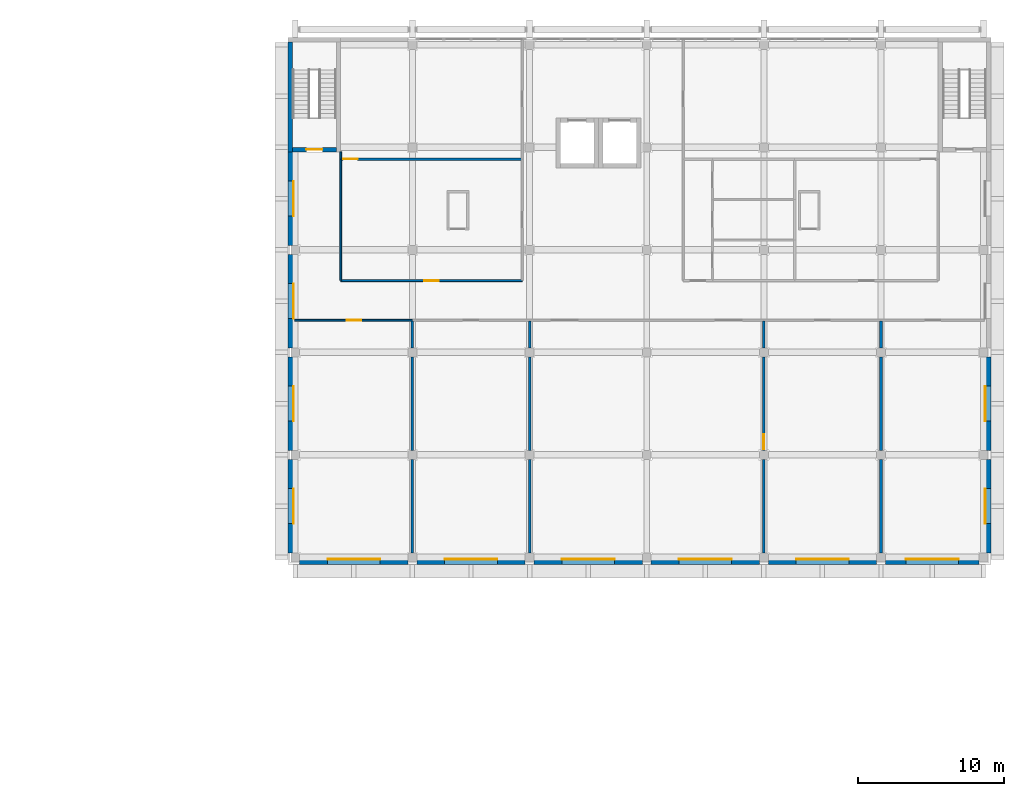
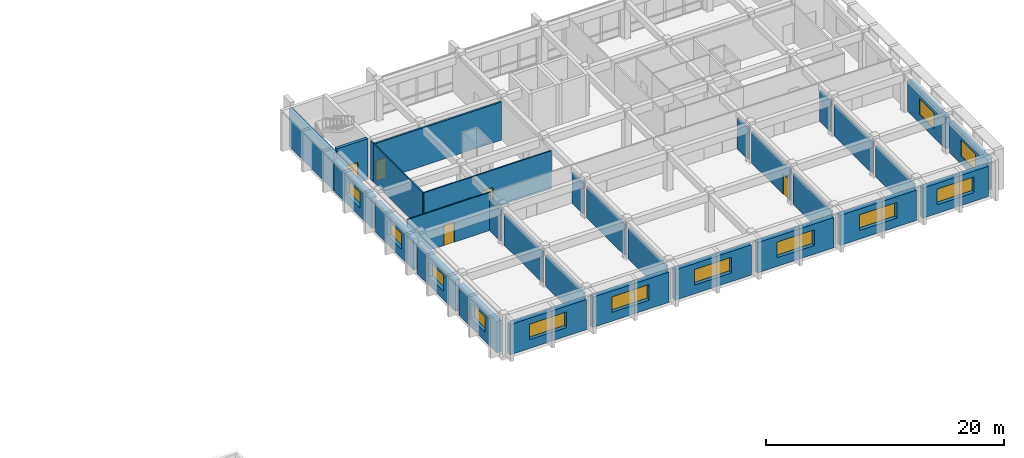
# One storey, part 34 of 43: 31 walls, 12 windows, 5 doors, 17 openings.
"""IFC4 building model written with IfcOpenShell, lengths in metres."""

from ifc_helpers import new_model, si_unit, direction, frame, frame_2d, origin, place, context, subcontext, project, spatial, rectangle, extrude, material, layer, layer_set, type_object, element, fill, save


model = new_model("IFC4")

# Units and contexts
model_context = context("Model", 3, precision=1e-05, world=origin(), true_north=direction((0.0, 1.0)))
body_context = subcontext(model_context, "Body", "Model", "MODEL_VIEW")
ifc_project = project(units=[si_unit("LENGTHUNIT", "METRE"), si_unit("AREAUNIT", "SQUARE_METRE"), si_unit("VOLUMEUNIT", "CUBIC_METRE"), si_unit("PLANEANGLEUNIT", "RADIAN"), si_unit("MASSUNIT", "GRAM", prefix="KILO")], contexts=[model_context])

# Site, building, storey
site_placement = place(None, origin())
site = spatial("IfcSite", under=ifc_project, at=site_placement, CompositionType="ELEMENT")
building_placement = place(site_placement, origin())
building = spatial("IfcBuilding", under=site, at=building_placement, Name="Elmora Arch Market Hall", CompositionType="ELEMENT")
storey_placement = place(building_placement, frame((0.0, 0.0, 10.199951171875)))
storey = spatial("IfcBuildingStorey", under=building, at=storey_placement, Name="L02", CompositionType="ELEMENT", Elevation=10.199951171875)

# Wall
ifc_material_1 = material(Name="Concrete C40/50", Category="concrete")
ifc_layer_1 = layer(ifc_material_1, 0.300048828125)
ifc_layer_set_1 = layer_set([ifc_layer_1], Name="Concrete C40/50")
wall_type_1 = type_object("IfcWallType", Name="Board-marked concrete wall 300", PredefinedType="SOLIDWALL", material=ifc_layer_set_1)
wall_1_placement = place(storey_placement, frame((86.14990234375, 158.199951171875, 0.0), z_axis=(0.0, 0.0, 1.0), x_axis=(0.0, 1.0, 0.0)))
element("IfcWall", 1, at=wall_1_placement, inside=storey, type_object=wall_type_1, Name="School stair wall W L02 1", PredefinedType="SOLIDWALL", context=body_context, shape_type="SweptSolid", body=[
    extrude(rectangle(XDim=7.5, YDim=0.300048828125, at=frame_2d((3.75, 0.0))), origin(), (0.0, 0.0, 1.0), 3.900146484375),
])

# Wall, opening, window
ifc_material_2 = material(Name="Concrete C40/50", Category="concrete")
ifc_layer_2 = layer(ifc_material_2, 0.449951171875)
ifc_layer_set_2 = layer_set([ifc_layer_2], Name="Concrete C40/50")
wall_type_2 = type_object("IfcWallType", Name="Board-marked concrete wall 450", PredefinedType="SOLIDWALL", material=ifc_layer_set_2)
wall_2_placement = place(storey_placement, frame((94.199951171875, 130.22509765625, 0.0), z_axis=(0.0, 0.0, 1.0), x_axis=(-1.0, 0.0, 0.0)))
wall_2 = element("IfcWall", 2, at=wall_2_placement, inside=storey, type_object=wall_type_2, Name="School facade wall S L02 1", PredefinedType="SOLIDWALL", context=body_context, shape_type="SweptSolid", body=[
    extrude(rectangle(XDim=7.39990234375, YDim=0.449951171875, at=frame_2d((3.699951171875, 0.0))), origin(), (0.0, 0.0, 1.0), 3.10009765625),
])
opening_1_placement = place(wall_2_placement, frame((1.89990234375, 0.0, 0.89990234375)))
opening_1 = element("IfcOpeningElement", 3, at=opening_1_placement, cuts=wall_2, Name="Opening WB1", PredefinedType="OPENING", context=body_context, shape_type="SweptSolid", body=[
    extrude(rectangle(XDim=3.60009765625, YDim=1.60009765625, at=frame_2d((1.800048828125, 0.800048828125))), frame((0.0, 0.23486328125, 0.0), z_axis=(0.0, -1.0, 0.0), x_axis=(1.0, 0.0, 0.0)), (0.0, 0.0, 1.0), 0.469970703125),
])
ifc_material_3 = material(Name="Aluminium", Category="aluminium")
window_type_1 = type_object("IfcWindowType", Name="School band window 3600x1600", PartitioningType="SINGLE_PANEL", PredefinedType="WINDOW", material=ifc_material_3)
window_1_placement = place(opening_1_placement, origin())
window_1 = element("IfcWindow", 4, at=window_1_placement, inside=storey, type_object=window_type_1, Name="Window WB1 L02 S101", OverallHeight=1.60009765625, OverallWidth=3.60009765625, PartitioningType="SINGLE_PANEL", PredefinedType="WINDOW", context=body_context, shape_type="SweptSolid", body=[
    extrude(rectangle(XDim=3.60009765625, YDim=1.60009765625, at=frame_2d((1.800048828125, 0.800048828125))), frame((0.0, -0.125, 0.0), z_axis=(0.0, -1.0, 0.0), x_axis=(1.0, 0.0, 0.0)), (0.0, 0.0, 1.0), 0.06005859375),
])
fill(opening_1, window_1)

wall_3_placement = place(storey_placement, frame((102.199951171875, 130.22509765625, 0.0), z_axis=(0.0, 0.0, 1.0), x_axis=(-1.0, 0.0, 0.0)))
wall_3 = element("IfcWall", 5, at=wall_3_placement, inside=storey, type_object=wall_type_2, Name="School facade wall S L02 2", PredefinedType="SOLIDWALL", context=body_context, shape_type="SweptSolid", body=[
    extrude(rectangle(XDim=7.39990234375, YDim=0.449951171875, at=frame_2d((3.699951171875, 0.0))), origin(), (0.0, 0.0, 1.0), 3.10009765625),
])
opening_2_placement = place(wall_3_placement, frame((1.89990234375, 0.0, 0.89990234375)))
opening_2 = element("IfcOpeningElement", 6, at=opening_2_placement, cuts=wall_3, Name="Opening WB1", PredefinedType="OPENING", context=body_context, shape_type="SweptSolid", body=[
    extrude(rectangle(XDim=3.60009765625, YDim=1.60009765625, at=frame_2d((1.800048828125, 0.800048828125))), frame((0.0, 0.23486328125, 0.0), z_axis=(0.0, -1.0, 0.0), x_axis=(1.0, 0.0, 0.0)), (0.0, 0.0, 1.0), 0.469970703125),
])
window_2_placement = place(opening_2_placement, origin())
window_2 = element("IfcWindow", 7, at=window_2_placement, inside=storey, type_object=window_type_1, Name="Window WB1 L02 S102", OverallHeight=1.60009765625, OverallWidth=3.60009765625, PartitioningType="SINGLE_PANEL", PredefinedType="WINDOW", context=body_context, shape_type="SweptSolid", body=[
    extrude(rectangle(XDim=3.60009765625, YDim=1.60009765625, at=frame_2d((1.800048828125, 0.800048828125))), frame((0.0, -0.125, 0.0), z_axis=(0.0, -1.0, 0.0), x_axis=(1.0, 0.0, 0.0)), (0.0, 0.0, 1.0), 0.06005859375),
])
fill(opening_2, window_2)

wall_4_placement = place(storey_placement, frame((110.199951171875, 130.22509765625, 0.0), z_axis=(0.0, 0.0, 1.0), x_axis=(-1.0, 0.0, 0.0)))
wall_4 = element("IfcWall", 8, at=wall_4_placement, inside=storey, type_object=wall_type_2, Name="School facade wall S L02 3", PredefinedType="SOLIDWALL", context=body_context, shape_type="SweptSolid", body=[
    extrude(rectangle(XDim=7.39990234375, YDim=0.449951171875, at=frame_2d((3.699951171875, 0.0))), origin(), (0.0, 0.0, 1.0), 3.10009765625),
])
opening_3_placement = place(wall_4_placement, frame((1.89990234375, 0.0, 0.89990234375)))
opening_3 = element("IfcOpeningElement", 9, at=opening_3_placement, cuts=wall_4, Name="Opening WB1", PredefinedType="OPENING", context=body_context, shape_type="SweptSolid", body=[
    extrude(rectangle(XDim=3.60009765625, YDim=1.60009765625, at=frame_2d((1.800048828125, 0.800048828125))), frame((0.0, 0.23486328125, 0.0), z_axis=(0.0, -1.0, 0.0), x_axis=(1.0, 0.0, 0.0)), (0.0, 0.0, 1.0), 0.469970703125),
])
window_3_placement = place(opening_3_placement, origin())
window_3 = element("IfcWindow", 10, at=window_3_placement, inside=storey, type_object=window_type_1, Name="Window WB1 L02 S103", OverallHeight=1.60009765625, OverallWidth=3.60009765625, PartitioningType="SINGLE_PANEL", PredefinedType="WINDOW", context=body_context, shape_type="SweptSolid", body=[
    extrude(rectangle(XDim=3.60009765625, YDim=1.60009765625, at=frame_2d((1.800048828125, 0.800048828125))), frame((0.0, -0.125, 0.0), z_axis=(0.0, -1.0, 0.0), x_axis=(1.0, 0.0, 0.0)), (0.0, 0.0, 1.0), 0.06005859375),
])
fill(opening_3, window_3)

wall_5_placement = place(storey_placement, frame((118.199951171875, 130.22509765625, 0.0), z_axis=(0.0, 0.0, 1.0), x_axis=(-1.0, 0.0, 0.0)))
wall_5 = element("IfcWall", 11, at=wall_5_placement, inside=storey, type_object=wall_type_2, Name="School facade wall S L02 4", PredefinedType="SOLIDWALL", context=body_context, shape_type="SweptSolid", body=[
    extrude(rectangle(XDim=7.39990234375, YDim=0.449951171875, at=frame_2d((3.699951171875, 0.0))), origin(), (0.0, 0.0, 1.0), 3.10009765625),
])
opening_4_placement = place(wall_5_placement, frame((1.89990234375, 0.0, 0.89990234375)))
opening_4 = element("IfcOpeningElement", 12, at=opening_4_placement, cuts=wall_5, Name="Opening WB1", PredefinedType="OPENING", context=body_context, shape_type="SweptSolid", body=[
    extrude(rectangle(XDim=3.60009765625, YDim=1.60009765625, at=frame_2d((1.800048828125, 0.800048828125))), frame((0.0, 0.23486328125, 0.0), z_axis=(0.0, -1.0, 0.0), x_axis=(1.0, 0.0, 0.0)), (0.0, 0.0, 1.0), 0.469970703125),
])
window_4_placement = place(opening_4_placement, origin())
window_4 = element("IfcWindow", 13, at=window_4_placement, inside=storey, type_object=window_type_1, Name="Window WB1 L02 S104", OverallHeight=1.60009765625, OverallWidth=3.60009765625, PartitioningType="SINGLE_PANEL", PredefinedType="WINDOW", context=body_context, shape_type="SweptSolid", body=[
    extrude(rectangle(XDim=3.60009765625, YDim=1.60009765625, at=frame_2d((1.800048828125, 0.800048828125))), frame((0.0, -0.125, 0.0), z_axis=(0.0, -1.0, 0.0), x_axis=(1.0, 0.0, 0.0)), (0.0, 0.0, 1.0), 0.06005859375),
])
fill(opening_4, window_4)

wall_6_placement = place(storey_placement, frame((126.199951171875, 130.22509765625, 0.0), z_axis=(0.0, 0.0, 1.0), x_axis=(-1.0, 0.0, 0.0)))
wall_6 = element("IfcWall", 14, at=wall_6_placement, inside=storey, type_object=wall_type_2, Name="School facade wall S L02 5", PredefinedType="SOLIDWALL", context=body_context, shape_type="SweptSolid", body=[
    extrude(rectangle(XDim=7.39990234375, YDim=0.449951171875, at=frame_2d((3.699951171875, 0.0))), origin(), (0.0, 0.0, 1.0), 3.10009765625),
])
opening_5_placement = place(wall_6_placement, frame((1.89990234375, 0.0, 0.89990234375)))
opening_5 = element("IfcOpeningElement", 15, at=opening_5_placement, cuts=wall_6, Name="Opening WB1", PredefinedType="OPENING", context=body_context, shape_type="SweptSolid", body=[
    extrude(rectangle(XDim=3.60009765625, YDim=1.60009765625, at=frame_2d((1.800048828125, 0.800048828125))), frame((0.0, 0.23486328125, 0.0), z_axis=(0.0, -1.0, 0.0), x_axis=(1.0, 0.0, 0.0)), (0.0, 0.0, 1.0), 0.469970703125),
])
window_5_placement = place(opening_5_placement, origin())
window_5 = element("IfcWindow", 16, at=window_5_placement, inside=storey, type_object=window_type_1, Name="Window WB1 L02 S105", OverallHeight=1.60009765625, OverallWidth=3.60009765625, PartitioningType="SINGLE_PANEL", PredefinedType="WINDOW", context=body_context, shape_type="SweptSolid", body=[
    extrude(rectangle(XDim=3.60009765625, YDim=1.60009765625, at=frame_2d((1.800048828125, 0.800048828125))), frame((0.0, -0.125, 0.0), z_axis=(0.0, -1.0, 0.0), x_axis=(1.0, 0.0, 0.0)), (0.0, 0.0, 1.0), 0.06005859375),
])
fill(opening_5, window_5)

wall_7_placement = place(storey_placement, frame((133.199951171875, 130.22509765625, 0.0), z_axis=(0.0, 0.0, 1.0), x_axis=(-1.0, 0.0, 0.0)))
wall_7 = element("IfcWall", 17, at=wall_7_placement, inside=storey, type_object=wall_type_2, Name="School facade wall S L02 6", PredefinedType="SOLIDWALL", context=body_context, shape_type="SweptSolid", body=[
    extrude(rectangle(XDim=6.39990234375, YDim=0.449951171875, at=frame_2d((3.199951171875, 0.0))), origin(), (0.0, 0.0, 1.0), 3.10009765625),
])
opening_6_placement = place(wall_7_placement, frame((1.39990234375, 0.0, 0.89990234375)))
opening_6 = element("IfcOpeningElement", 18, at=opening_6_placement, cuts=wall_7, Name="Opening WB1", PredefinedType="OPENING", context=body_context, shape_type="SweptSolid", body=[
    extrude(rectangle(XDim=3.60009765625, YDim=1.60009765625, at=frame_2d((1.800048828125, 0.800048828125))), frame((0.0, 0.23486328125, 0.0), z_axis=(0.0, -1.0, 0.0), x_axis=(1.0, 0.0, 0.0)), (0.0, 0.0, 1.0), 0.469970703125),
])
window_6_placement = place(opening_6_placement, origin())
window_6 = element("IfcWindow", 19, at=window_6_placement, inside=storey, type_object=window_type_1, Name="Window WB1 L02 S106", OverallHeight=1.60009765625, OverallWidth=3.60009765625, PartitioningType="SINGLE_PANEL", PredefinedType="WINDOW", context=body_context, shape_type="SweptSolid", body=[
    extrude(rectangle(XDim=3.60009765625, YDim=1.60009765625, at=frame_2d((1.800048828125, 0.800048828125))), frame((0.0, -0.125, 0.0), z_axis=(0.0, -1.0, 0.0), x_axis=(1.0, 0.0, 0.0)), (0.0, 0.0, 1.0), 0.06005859375),
])
fill(opening_6, window_6)

wall_8_placement = place(storey_placement, frame((86.22509765625, 130.800048828125, 0.0), z_axis=(0.0, 0.0, 1.0), x_axis=(0.0, 1.0, 0.0)))
wall_8 = element("IfcWall", 20, at=wall_8_placement, inside=storey, type_object=wall_type_2, Name="School facade wall W L02 2", PredefinedType="SOLIDWALL", context=body_context, shape_type="SweptSolid", body=[
    extrude(rectangle(XDim=6.39990234375, YDim=0.449951171875, at=frame_2d((3.199951171875, 0.0))), origin(), (0.0, 0.0, 1.0), 3.199951171875),
])
opening_7_placement = place(wall_8_placement, frame((2.0, 0.0, 0.89990234375)))
opening_7 = element("IfcOpeningElement", 21, at=opening_7_placement, cuts=wall_8, Name="Opening WB2", PredefinedType="OPENING", context=body_context, shape_type="SweptSolid", body=[
    extrude(rectangle(XDim=2.39990234375, YDim=1.60009765625, at=frame_2d((1.199951171875, 0.800048828125))), frame((0.0, 0.23486328125, 0.0), z_axis=(0.0, -1.0, 0.0), x_axis=(1.0, 0.0, 0.0)), (0.0, 0.0, 1.0), 0.469970703125),
])
ifc_material_4 = material(Name="Aluminium", Category="aluminium")
window_type_2 = type_object("IfcWindowType", Name="School end band window 2400x1600", PartitioningType="SINGLE_PANEL", PredefinedType="WINDOW", material=ifc_material_4)
window_7_placement = place(opening_7_placement, origin())
window_7 = element("IfcWindow", 22, at=window_7_placement, inside=storey, type_object=window_type_2, Name="Window WB2 L02 W107", OverallHeight=1.60009765625, OverallWidth=2.39990234375, PartitioningType="SINGLE_PANEL", PredefinedType="WINDOW", context=body_context, shape_type="SweptSolid", body=[
    extrude(rectangle(XDim=2.39990234375, YDim=1.60009765625, at=frame_2d((1.199951171875, 0.800048828125))), frame((0.0, -0.125, 0.0), z_axis=(0.0, -1.0, 0.0), x_axis=(1.0, 0.0, 0.0)), (0.0, 0.0, 1.0), 0.06005859375),
])
fill(opening_7, window_7)

wall_9_placement = place(storey_placement, frame((86.22509765625, 137.800048828125, 0.0), z_axis=(0.0, 0.0, 1.0), x_axis=(0.0, 1.0, 0.0)))
wall_9 = element("IfcWall", 23, at=wall_9_placement, inside=storey, type_object=wall_type_2, Name="School facade wall W L02 3", PredefinedType="SOLIDWALL", context=body_context, shape_type="SweptSolid", body=[
    extrude(rectangle(XDim=6.39990234375, YDim=0.449951171875, at=frame_2d((3.199951171875, 0.0))), origin(), (0.0, 0.0, 1.0), 3.199951171875),
])
opening_8_placement = place(wall_9_placement, frame((2.0, 0.0, 0.89990234375)))
opening_8 = element("IfcOpeningElement", 24, at=opening_8_placement, cuts=wall_9, Name="Opening WB2", PredefinedType="OPENING", context=body_context, shape_type="SweptSolid", body=[
    extrude(rectangle(XDim=2.39990234375, YDim=1.60009765625, at=frame_2d((1.199951171875, 0.800048828125))), frame((0.0, 0.23486328125, 0.0), z_axis=(0.0, -1.0, 0.0), x_axis=(1.0, 0.0, 0.0)), (0.0, 0.0, 1.0), 0.469970703125),
])
window_8_placement = place(opening_8_placement, origin())
window_8 = element("IfcWindow", 25, at=window_8_placement, inside=storey, type_object=window_type_2, Name="Window WB2 L02 W108", OverallHeight=1.60009765625, OverallWidth=2.39990234375, PartitioningType="SINGLE_PANEL", PredefinedType="WINDOW", context=body_context, shape_type="SweptSolid", body=[
    extrude(rectangle(XDim=2.39990234375, YDim=1.60009765625, at=frame_2d((1.199951171875, 0.800048828125))), frame((0.0, -0.125, 0.0), z_axis=(0.0, -1.0, 0.0), x_axis=(1.0, 0.0, 0.0)), (0.0, 0.0, 1.0), 0.06005859375),
])
fill(opening_8, window_8)

wall_10_placement = place(storey_placement, frame((86.22509765625, 144.800048828125, 0.0), z_axis=(0.0, 0.0, 1.0), x_axis=(0.0, 1.0, 0.0)))
wall_10 = element("IfcWall", 26, at=wall_10_placement, inside=storey, type_object=wall_type_2, Name="School facade wall W L02 4", PredefinedType="SOLIDWALL", context=body_context, shape_type="SweptSolid", body=[
    extrude(rectangle(XDim=6.39990234375, YDim=0.449951171875, at=frame_2d((3.199951171875, 0.0))), origin(), (0.0, 0.0, 1.0), 3.199951171875),
])
opening_9_placement = place(wall_10_placement, frame((2.0, 0.0, 0.89990234375)))
opening_9 = element("IfcOpeningElement", 27, at=opening_9_placement, cuts=wall_10, Name="Opening WB2", PredefinedType="OPENING", context=body_context, shape_type="SweptSolid", body=[
    extrude(rectangle(XDim=2.39990234375, YDim=1.60009765625, at=frame_2d((1.199951171875, 0.800048828125))), frame((0.0, 0.23486328125, 0.0), z_axis=(0.0, -1.0, 0.0), x_axis=(1.0, 0.0, 0.0)), (0.0, 0.0, 1.0), 0.469970703125),
])
window_9_placement = place(opening_9_placement, origin())
window_9 = element("IfcWindow", 28, at=window_9_placement, inside=storey, type_object=window_type_2, Name="Window WB2 L02 W109", OverallHeight=1.60009765625, OverallWidth=2.39990234375, PartitioningType="SINGLE_PANEL", PredefinedType="WINDOW", context=body_context, shape_type="SweptSolid", body=[
    extrude(rectangle(XDim=2.39990234375, YDim=1.60009765625, at=frame_2d((1.199951171875, 0.800048828125))), frame((0.0, -0.125, 0.0), z_axis=(0.0, -1.0, 0.0), x_axis=(1.0, 0.0, 0.0)), (0.0, 0.0, 1.0), 0.06005859375),
])
fill(opening_9, window_9)

wall_11_placement = place(storey_placement, frame((86.22509765625, 151.800048828125, 0.0), z_axis=(0.0, 0.0, 1.0), x_axis=(0.0, 1.0, 0.0)))
wall_11 = element("IfcWall", 29, at=wall_11_placement, inside=storey, type_object=wall_type_2, Name="School facade wall W L02 5", PredefinedType="SOLIDWALL", context=body_context, shape_type="SweptSolid", body=[
    extrude(rectangle(XDim=6.39990234375, YDim=0.449951171875, at=frame_2d((3.199951171875, 0.0))), origin(), (0.0, 0.0, 1.0), 3.199951171875),
])
opening_10_placement = place(wall_11_placement, frame((2.0, 0.0, 0.89990234375)))
opening_10 = element("IfcOpeningElement", 30, at=opening_10_placement, cuts=wall_11, Name="Opening WB2", PredefinedType="OPENING", context=body_context, shape_type="SweptSolid", body=[
    extrude(rectangle(XDim=2.39990234375, YDim=1.60009765625, at=frame_2d((1.199951171875, 0.800048828125))), frame((0.0, 0.23486328125, 0.0), z_axis=(0.0, -1.0, 0.0), x_axis=(1.0, 0.0, 0.0)), (0.0, 0.0, 1.0), 0.469970703125),
])
window_10_placement = place(opening_10_placement, origin())
window_10 = element("IfcWindow", 31, at=window_10_placement, inside=storey, type_object=window_type_2, Name="Window WB2 L02 W110", OverallHeight=1.60009765625, OverallWidth=2.39990234375, PartitioningType="SINGLE_PANEL", PredefinedType="WINDOW", context=body_context, shape_type="SweptSolid", body=[
    extrude(rectangle(XDim=2.39990234375, YDim=1.60009765625, at=frame_2d((1.199951171875, 0.800048828125))), frame((0.0, -0.125, 0.0), z_axis=(0.0, -1.0, 0.0), x_axis=(1.0, 0.0, 0.0)), (0.0, 0.0, 1.0), 0.06005859375),
])
fill(opening_10, window_10)

wall_12_placement = place(storey_placement, frame((133.77490234375, 137.199951171875, 0.0), z_axis=(0.0, 0.0, 1.0), x_axis=(0.0, -1.0, 0.0)))
wall_12 = element("IfcWall", 32, at=wall_12_placement, inside=storey, type_object=wall_type_2, Name="School facade wall E L02 2", PredefinedType="SOLIDWALL", context=body_context, shape_type="SweptSolid", body=[
    extrude(rectangle(XDim=6.39990234375, YDim=0.449951171875, at=frame_2d((3.199951171875, 0.0))), origin(), (0.0, 0.0, 1.0), 3.199951171875),
])
opening_11_placement = place(wall_12_placement, frame((2.0, 0.0, 0.89990234375)))
opening_11 = element("IfcOpeningElement", 33, at=opening_11_placement, cuts=wall_12, Name="Opening WB2", PredefinedType="OPENING", context=body_context, shape_type="SweptSolid", body=[
    extrude(rectangle(XDim=2.39990234375, YDim=1.60009765625, at=frame_2d((1.199951171875, 0.800048828125))), frame((0.0, 0.23486328125, 0.0), z_axis=(0.0, -1.0, 0.0), x_axis=(1.0, 0.0, 0.0)), (0.0, 0.0, 1.0), 0.469970703125),
])
window_11_placement = place(opening_11_placement, origin())
window_11 = element("IfcWindow", 34, at=window_11_placement, inside=storey, type_object=window_type_2, Name="Window WB2 L02 E111", OverallHeight=1.60009765625, OverallWidth=2.39990234375, PartitioningType="SINGLE_PANEL", PredefinedType="WINDOW", context=body_context, shape_type="SweptSolid", body=[
    extrude(rectangle(XDim=2.39990234375, YDim=1.60009765625, at=frame_2d((1.199951171875, 0.800048828125))), frame((0.0, -0.125, 0.0), z_axis=(0.0, -1.0, 0.0), x_axis=(1.0, 0.0, 0.0)), (0.0, 0.0, 1.0), 0.06005859375),
])
fill(opening_11, window_11)

wall_13_placement = place(storey_placement, frame((133.77490234375, 144.199951171875, 0.0), z_axis=(0.0, 0.0, 1.0), x_axis=(0.0, -1.0, 0.0)))
wall_13 = element("IfcWall", 35, at=wall_13_placement, inside=storey, type_object=wall_type_2, Name="School facade wall E L02 3", PredefinedType="SOLIDWALL", context=body_context, shape_type="SweptSolid", body=[
    extrude(rectangle(XDim=6.39990234375, YDim=0.449951171875, at=frame_2d((3.199951171875, 0.0))), origin(), (0.0, 0.0, 1.0), 3.199951171875),
])
opening_12_placement = place(wall_13_placement, frame((2.0, 0.0, 0.89990234375)))
opening_12 = element("IfcOpeningElement", 36, at=opening_12_placement, cuts=wall_13, Name="Opening WB2", PredefinedType="OPENING", context=body_context, shape_type="SweptSolid", body=[
    extrude(rectangle(XDim=2.39990234375, YDim=1.60009765625, at=frame_2d((1.199951171875, 0.800048828125))), frame((0.0, 0.23486328125, 0.0), z_axis=(0.0, -1.0, 0.0), x_axis=(1.0, 0.0, 0.0)), (0.0, 0.0, 1.0), 0.469970703125),
])
window_12_placement = place(opening_12_placement, origin())
window_12 = element("IfcWindow", 37, at=window_12_placement, inside=storey, type_object=window_type_2, Name="Window WB2 L02 E112", OverallHeight=1.60009765625, OverallWidth=2.39990234375, PartitioningType="SINGLE_PANEL", PredefinedType="WINDOW", context=body_context, shape_type="SweptSolid", body=[
    extrude(rectangle(XDim=2.39990234375, YDim=1.60009765625, at=frame_2d((1.199951171875, 0.800048828125))), frame((0.0, -0.125, 0.0), z_axis=(0.0, -1.0, 0.0), x_axis=(1.0, 0.0, 0.0)), (0.0, 0.0, 1.0), 0.06005859375),
])
fill(opening_12, window_12)

# Wall, opening, door
ifc_material_5 = material(Name="Gypsum board on metal studs")
ifc_layer_3 = layer(ifc_material_5, 0.125)
ifc_layer_set_3 = layer_set([ifc_layer_3], Name="Gypsum board on metal studs")
wall_type_3 = type_object("IfcWallType", Name="Partition 125 EI 60", PredefinedType="PARTITIONING", material=ifc_layer_set_3)
wall_14_placement = place(storey_placement, frame((86.449951171875, 146.699951171875, 0.0), z_axis=(0.0, 0.0, 1.0), x_axis=(1.0, 0.0, 0.0)))
wall_14 = element("IfcWall", 38, at=wall_14_placement, inside=storey, type_object=wall_type_3, Name="Partition PT-L02-015", PredefinedType="PARTITIONING", context=body_context, shape_type="SweptSolid", body=[
    extrude(rectangle(XDim=8.050048828125, YDim=0.125, at=frame_2d((4.02490234375, 0.0))), origin(), (0.0, 0.0, 1.0), 3.900146484375),
])
opening_13_placement = place(wall_14_placement, frame((3.550048828125, 0.0, 0.0)))
opening_13 = element("IfcOpeningElement", 39, at=opening_13_placement, cuts=wall_14, Name="Opening D-L02-015", PredefinedType="OPENING", context=body_context, shape_type="SweptSolid", body=[
    extrude(rectangle(XDim=1.0, YDim=2.10009765625, at=frame_2d((0.5, 1.050048828125))), frame((0.0, 0.072509765625, 0.0), z_axis=(0.0, -1.0, 0.0), x_axis=(1.0, 0.0, 0.0)), (0.0, 0.0, 1.0), 0.14501953125),
])
ifc_material_6 = material(Name="Steel ASTM A653 galvanised", Category="steel")
door_type_1 = type_object("IfcDoorType", Name="Door 1000 x 2100 FD45", OperationType="SINGLE_SWING_LEFT", PredefinedType="DOOR", material=ifc_material_6)
door_1_placement = place(opening_13_placement, frame((1.0, 0.0, 0.0), z_axis=(0.0, 0.0, 1.0), x_axis=(-1.0, 0.0, 0.0)))
door_1 = element("IfcDoor", 40, at=door_1_placement, inside=storey, type_object=door_type_1, Name="D-L02-015", OperationType="SINGLE_SWING_LEFT", OverallHeight=2.10009765625, OverallWidth=1.0, PredefinedType="DOOR", context=body_context, shape_type="SweptSolid", body=[
    extrude(rectangle(XDim=1.0, YDim=2.10009765625, at=frame_2d((0.5, 1.050048828125))), frame((0.0, 0.02490234375, 0.0), z_axis=(0.0, -1.0, 0.0), x_axis=(1.0, 0.0, 0.0)), (0.0, 0.0, 1.0), 0.050048828125),
])
fill(opening_13, door_1)

wall_15_placement = place(storey_placement, frame((89.610107421875, 149.39990234375, 0.0), z_axis=(0.0, 0.0, 1.0), x_axis=(1.0, 0.0, 0.0)))
wall_15 = element("IfcWall", 41, at=wall_15_placement, inside=storey, type_object=wall_type_3, Name="Partition PT-L02-020", PredefinedType="PARTITIONING", context=body_context, shape_type="SweptSolid", body=[
    extrude(rectangle(XDim=12.3798828125, YDim=0.125, at=frame_2d((6.18994140625, 0.0))), origin(), (0.0, 0.0, 1.0), 3.900146484375),
])
opening_14_placement = place(wall_15_placement, frame((5.699951171875, 0.0, 0.0)))
opening_14 = element("IfcOpeningElement", 42, at=opening_14_placement, cuts=wall_15, Name="Opening D-L02-021", PredefinedType="OPENING", context=body_context, shape_type="SweptSolid", body=[
    extrude(rectangle(XDim=1.0, YDim=2.10009765625, at=frame_2d((0.5, 1.050048828125))), frame((0.0, 0.072509765625, 0.0), z_axis=(0.0, -1.0, 0.0), x_axis=(1.0, 0.0, 0.0)), (0.0, 0.0, 1.0), 0.14501953125),
])
door_2_placement = place(opening_14_placement, origin())
door_2 = element("IfcDoor", 43, at=door_2_placement, inside=storey, type_object=door_type_1, Name="D-L02-021", OperationType="SINGLE_SWING_RIGHT", OverallHeight=2.10009765625, OverallWidth=1.0, PredefinedType="DOOR", context=body_context, shape_type="SweptSolid", body=[
    extrude(rectangle(XDim=1.0, YDim=2.10009765625, at=frame_2d((0.5, 1.050048828125))), frame((0.0, 0.02490234375, 0.0), z_axis=(0.0, -1.0, 0.0), x_axis=(1.0, 0.0, 0.0)), (0.0, 0.0, 1.0), 0.050048828125),
])
fill(opening_14, door_2)

# Walls
wall_16_placement = place(storey_placement, frame((89.60009765625, 149.409912109375, 0.0), z_axis=(0.0, 0.0, 1.0), x_axis=(0.0, 1.0, 0.0)))
element("IfcWall", 44, at=wall_16_placement, inside=storey, type_object=wall_type_3, Name="Partition PT-L02-043", PredefinedType="PARTITIONING", context=body_context, shape_type="SweptSolid", body=[
    extrude(rectangle(XDim=8.2900390625, YDim=0.125, at=frame_2d((4.14501953125, 0.0))), origin(), (0.0, 0.0, 1.0), 3.900146484375),
])
wall_17_placement = place(storey_placement, frame((89.60009765625, 157.699951171875, 0.0), z_axis=(0.0, 0.0, 1.0), x_axis=(0.0, 1.0, 0.0)))
element("IfcWall", 45, at=wall_17_placement, inside=storey, type_object=wall_type_3, Name="Partition PT-L02-044", PredefinedType="PARTITIONING", context=body_context, shape_type="SweptSolid", body=[
    extrude(rectangle(XDim=0.5, YDim=0.125, at=frame_2d((0.25, 0.0))), origin(), (0.0, 0.0, 1.0), 3.900146484375),
])

# Wall, opening, door
ifc_material_7 = material(Name="Gypsum board on metal studs")
ifc_layer_4 = layer(ifc_material_7, 0.175048828125)
ifc_layer_set_4 = layer_set([ifc_layer_4], Name="Gypsum board on metal studs")
wall_type_4 = type_object("IfcWallType", Name="Partition 175 EI 60", PredefinedType="PARTITIONING", material=ifc_layer_set_4)
wall_18_placement = place(storey_placement, frame((89.66259765625, 157.699951171875, 0.0), z_axis=(0.0, 0.0, 1.0), x_axis=(1.0, 0.0, 0.0)))
wall_18 = element("IfcWall", 46, at=wall_18_placement, inside=storey, type_object=wall_type_4, Name="Partition PT-L02-026", PredefinedType="PARTITIONING", context=body_context, shape_type="SweptSolid", body=[
    extrude(rectangle(XDim=12.27490234375, YDim=0.175048828125, at=frame_2d((6.137451171875, 0.0))), origin(), (0.0, 0.0, 1.0), 3.900146484375),
])
opening_15_placement = place(wall_18_placement, frame((0.10009765625, 0.0, 0.0)))
opening_15 = element("IfcOpeningElement", 47, at=opening_15_placement, cuts=wall_18, Name="Opening D-L02-030", PredefinedType="OPENING", context=body_context, shape_type="SweptSolid", body=[
    extrude(rectangle(XDim=1.0, YDim=2.10009765625, at=frame_2d((0.5, 1.050048828125))), frame((0.0, 0.097412109375, 0.0), z_axis=(0.0, -1.0, 0.0), x_axis=(1.0, 0.0, 0.0)), (0.0, 0.0, 1.0), 0.195068359375),
])
door_3_placement = place(opening_15_placement, frame((1.0, 0.0, 0.0), z_axis=(0.0, 0.0, 1.0), x_axis=(-1.0, 0.0, 0.0)))
door_3 = element("IfcDoor", 48, at=door_3_placement, inside=storey, type_object=door_type_1, Name="D-L02-030", OperationType="SINGLE_SWING_RIGHT", OverallHeight=2.10009765625, OverallWidth=1.0, PredefinedType="DOOR", context=body_context, shape_type="SweptSolid", body=[
    extrude(rectangle(XDim=1.0, YDim=2.10009765625, at=frame_2d((0.5, 1.050048828125))), frame((0.0, 0.02490234375, 0.0), z_axis=(0.0, -1.0, 0.0), x_axis=(1.0, 0.0, 0.0)), (0.0, 0.0, 1.0), 0.050048828125),
])
fill(opening_15, door_3)

# Walls
for number, where, z_axis, x_axis, name in (
    (49, (94.5, 130.800048828125, 0.0), (0.0, 0.0, 1.0), (0.0, 1.0, 0.0), "Partition PT-L02-045-46"),
    (50, (94.5, 137.800048828125, 0.0), (0.0, 0.0, 1.0), (0.0, 1.0, 0.0), "Partition PT-L02-045-47"),
):
    element("IfcWall", number, at=place(storey_placement, frame(where, z_axis=z_axis, x_axis=x_axis)), inside=storey, type_object=wall_type_4, Name=name, PredefinedType="PARTITIONING", context=body_context, shape_type="SweptSolid", body=[
        extrude(rectangle(XDim=6.39990234375, YDim=0.175048828125, at=frame_2d((3.199951171875, 0.0))), origin(), (0.0, 0.0, 1.0), 3.199951171875),
    ])
wall_19_placement = place(storey_placement, frame((94.5, 144.800048828125, 0.0), z_axis=(0.0, 0.0, 1.0), x_axis=(0.0, 1.0, 0.0)))
element("IfcWall", 51, at=wall_19_placement, inside=storey, type_object=wall_type_4, Name="Partition PT-L02-045-48", PredefinedType="PARTITIONING", context=body_context, shape_type="SweptSolid", body=[
    extrude(rectangle(XDim=1.83740234375, YDim=0.175048828125, at=frame_2d((0.918701171875, 0.0))), origin(), (0.0, 0.0, 1.0), 3.199951171875),
])
for number, where, z_axis, x_axis, name in (
    (52, (102.5, 130.800048828125, 0.0), (0.0, 0.0, 1.0), (0.0, 1.0, 0.0), "Partition PT-L02-048-51"),
    (53, (102.5, 137.800048828125, 0.0), (0.0, 0.0, 1.0), (0.0, 1.0, 0.0), "Partition PT-L02-048-52"),
):
    element("IfcWall", number, at=place(storey_placement, frame(where, z_axis=z_axis, x_axis=x_axis)), inside=storey, type_object=wall_type_4, Name=name, PredefinedType="PARTITIONING", context=body_context, shape_type="SweptSolid", body=[
        extrude(rectangle(XDim=6.39990234375, YDim=0.175048828125, at=frame_2d((3.199951171875, 0.0))), origin(), (0.0, 0.0, 1.0), 3.199951171875),
    ])
wall_20_placement = place(storey_placement, frame((102.5, 144.800048828125, 0.0), z_axis=(0.0, 0.0, 1.0), x_axis=(0.0, 1.0, 0.0)))
element("IfcWall", 54, at=wall_20_placement, inside=storey, type_object=wall_type_4, Name="Partition PT-L02-048-53", PredefinedType="PARTITIONING", context=body_context, shape_type="SweptSolid", body=[
    extrude(rectangle(XDim=1.83740234375, YDim=0.175048828125, at=frame_2d((0.918701171875, 0.0))), origin(), (0.0, 0.0, 1.0), 3.199951171875),
])
wall_21_placement = place(storey_placement, frame((118.5, 130.800048828125, 0.0), z_axis=(0.0, 0.0, 1.0), x_axis=(0.0, 1.0, 0.0)))
element("IfcWall", 55, at=wall_21_placement, inside=storey, type_object=wall_type_4, Name="Partition PT-L02-054-59", PredefinedType="PARTITIONING", context=body_context, shape_type="SweptSolid", body=[
    extrude(rectangle(XDim=6.39990234375, YDim=0.175048828125, at=frame_2d((3.199951171875, 0.0))), origin(), (0.0, 0.0, 1.0), 3.199951171875),
])

# Wall, opening, door
wall_22_placement = place(storey_placement, frame((118.5, 137.800048828125, 0.0), z_axis=(0.0, 0.0, 1.0), x_axis=(0.0, 1.0, 0.0)))
wall_22 = element("IfcWall", 56, at=wall_22_placement, inside=storey, type_object=wall_type_4, Name="Partition PT-L02-054-60", PredefinedType="PARTITIONING", context=body_context, shape_type="SweptSolid", body=[
    extrude(rectangle(XDim=6.39990234375, YDim=0.175048828125, at=frame_2d((3.199951171875, 0.0))), origin(), (0.0, 0.0, 1.0), 3.199951171875),
])
opening_16_placement = place(wall_22_placement, frame((0.10009765625, 0.0, 0.0)))
opening_16 = element("IfcOpeningElement", 57, at=opening_16_placement, cuts=wall_22, Name="Opening D-L02-014", PredefinedType="OPENING", context=body_context, shape_type="SweptSolid", body=[
    extrude(rectangle(XDim=1.0, YDim=2.10009765625, at=frame_2d((0.5, 1.050048828125))), frame((0.0, 0.097412109375, 0.0), z_axis=(0.0, -1.0, 0.0), x_axis=(1.0, 0.0, 0.0)), (0.0, 0.0, 1.0), 0.195068359375),
])
door_4_placement = place(opening_16_placement, frame((1.0, 0.0, 0.0), z_axis=(0.0, 0.0, 1.0), x_axis=(-1.0, 0.0, 0.0)))
door_4 = element("IfcDoor", 58, at=door_4_placement, inside=storey, type_object=door_type_1, Name="D-L02-014", OperationType="SINGLE_SWING_RIGHT", OverallHeight=2.10009765625, OverallWidth=1.0, PredefinedType="DOOR", context=body_context, shape_type="SweptSolid", body=[
    extrude(rectangle(XDim=1.0, YDim=2.10009765625, at=frame_2d((0.5, 1.050048828125))), frame((0.0, 0.02490234375, 0.0), z_axis=(0.0, -1.0, 0.0), x_axis=(1.0, 0.0, 0.0)), (0.0, 0.0, 1.0), 0.050048828125),
])
fill(opening_16, door_4)

# Walls
wall_23_placement = place(storey_placement, frame((118.5, 144.800048828125, 0.0), z_axis=(0.0, 0.0, 1.0), x_axis=(0.0, 1.0, 0.0)))
element("IfcWall", 59, at=wall_23_placement, inside=storey, type_object=wall_type_4, Name="Partition PT-L02-054-61", PredefinedType="PARTITIONING", context=body_context, shape_type="SweptSolid", body=[
    extrude(rectangle(XDim=1.83740234375, YDim=0.175048828125, at=frame_2d((0.918701171875, 0.0))), origin(), (0.0, 0.0, 1.0), 3.199951171875),
])
for number, where, z_axis, x_axis, name in (
    (60, (126.5, 130.800048828125, 0.0), (0.0, 0.0, 1.0), (0.0, 1.0, 0.0), "Partition PT-L02-058-65"),
    (61, (126.5, 137.800048828125, 0.0), (0.0, 0.0, 1.0), (0.0, 1.0, 0.0), "Partition PT-L02-058-66"),
):
    element("IfcWall", number, at=place(storey_placement, frame(where, z_axis=z_axis, x_axis=x_axis)), inside=storey, type_object=wall_type_4, Name=name, PredefinedType="PARTITIONING", context=body_context, shape_type="SweptSolid", body=[
        extrude(rectangle(XDim=6.39990234375, YDim=0.175048828125, at=frame_2d((3.199951171875, 0.0))), origin(), (0.0, 0.0, 1.0), 3.199951171875),
    ])
wall_24_placement = place(storey_placement, frame((126.5, 144.800048828125, 0.0), z_axis=(0.0, 0.0, 1.0), x_axis=(0.0, 1.0, 0.0)))
element("IfcWall", 62, at=wall_24_placement, inside=storey, type_object=wall_type_4, Name="Partition PT-L02-058-67", PredefinedType="PARTITIONING", context=body_context, shape_type="SweptSolid", body=[
    extrude(rectangle(XDim=1.83740234375, YDim=0.175048828125, at=frame_2d((0.918701171875, 0.0))), origin(), (0.0, 0.0, 1.0), 3.199951171875),
])

# Wall, opening, door
ifc_material_8 = material(Name="Concrete C40/50", Category="concrete")
ifc_layer_5 = layer(ifc_material_8, 0.300048828125)
ifc_layer_set_5 = layer_set([ifc_layer_5], Name="Concrete C40/50")
wall_type_5 = type_object("IfcWallType", Name="Stair wall 300", PredefinedType="SHEAR", material=ifc_layer_set_5)
wall_25_placement = place(storey_placement, frame((86.300048828125, 158.35009765625, 0.0), z_axis=(0.0, 0.0, 1.0), x_axis=(1.0, 0.0, 0.0)))
wall_25 = element("IfcWall", 63, at=wall_25_placement, inside=storey, type_object=wall_type_5, Name="Stair wall ST-SCW S L02", PredefinedType="SHEAR", context=body_context, shape_type="SweptSolid", body=[
    extrude(rectangle(XDim=3.0, YDim=0.300048828125, at=frame_2d((1.5, 0.0))), origin(), (0.0, 0.0, 1.0), 4.199951171875),
])
opening_17_placement = place(wall_25_placement, frame((0.949951171875, 0.0, 0.0)))
opening_17 = element("IfcOpeningElement", 64, at=opening_17_placement, cuts=wall_25, Name="Opening ST-SCW-L02", PredefinedType="OPENING", context=body_context, shape_type="SweptSolid", body=[
    extrude(rectangle(XDim=1.10009765625, YDim=2.10009765625, at=frame_2d((0.550048828125, 1.050048828125))), frame((0.0, 0.159912109375, 0.0), z_axis=(0.0, -1.0, 0.0), x_axis=(1.0, 0.0, 0.0)), (0.0, 0.0, 1.0), 0.320068359375),
])
ifc_material_9 = material(Name="Steel ASTM A653 galvanised", Category="steel")
door_type_2 = type_object("IfcDoorType", Name="Stair door 1100 x 2100 FD90", OperationType="SINGLE_SWING_LEFT", PredefinedType="DOOR", material=ifc_material_9)
door_5_placement = place(opening_17_placement, origin())
door_5 = element("IfcDoor", 65, at=door_5_placement, inside=storey, type_object=door_type_2, Name="Stair door ST-SCW L02", OperationType="SINGLE_SWING_LEFT", OverallHeight=2.10009765625, OverallWidth=1.10009765625, PredefinedType="DOOR", context=body_context, shape_type="SweptSolid", body=[
    extrude(rectangle(XDim=1.10009765625, YDim=2.10009765625, at=frame_2d((0.550048828125, 1.050048828125))), frame((0.0, 0.02490234375, 0.0), z_axis=(0.0, -1.0, 0.0), x_axis=(1.0, 0.0, 0.0)), (0.0, 0.0, 1.0), 0.050048828125),
])
fill(opening_17, door_5)

save(model, "model.ifc")
